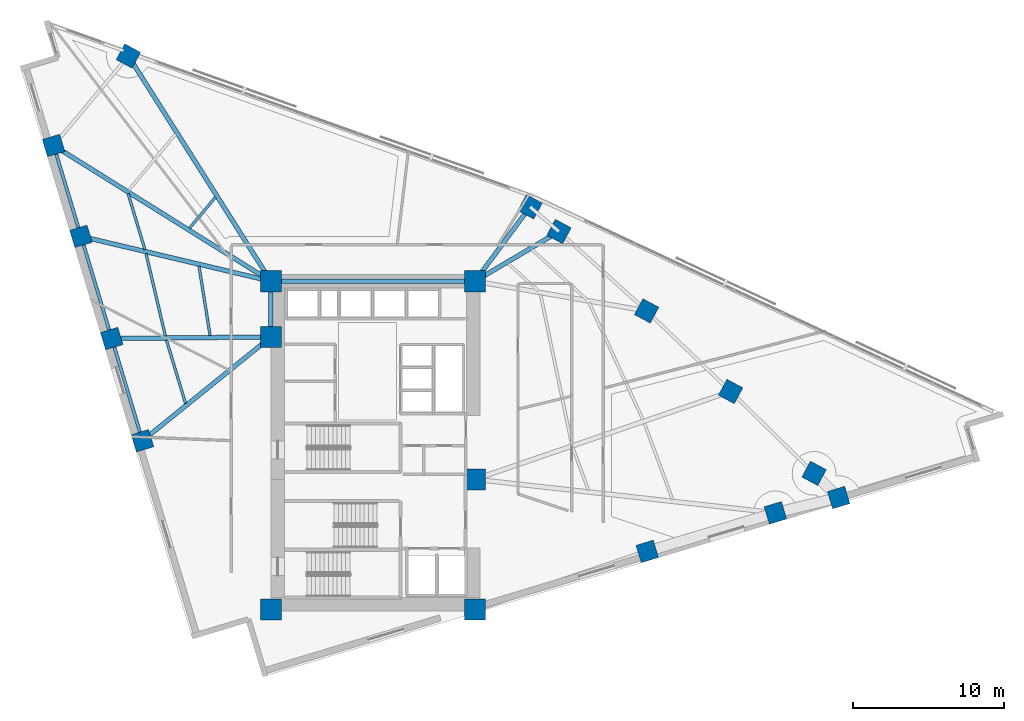
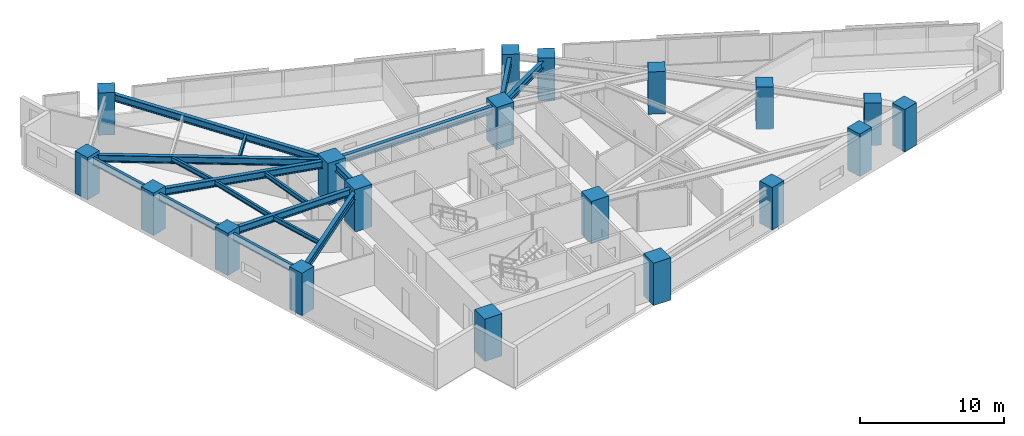
# One storey, part 1 of 16: 19 columns, 17 beams.
"""IFC4 building model written with IfcOpenShell, lengths in metres."""

from ifc_helpers import new_model, si_unit, direction, frame, origin, origin_2d, place, context, subcontext, project, spatial, rectangle, i_section, extrude, material, material_profile, profile_set, type_object, element, save


model = new_model("IFC4")

# Units and contexts
model_context = context("Model", 3, precision=1e-05, world=origin(), true_north=direction((0.0, 1.0)))
body_context = subcontext(model_context, "Body", "Model", "MODEL_VIEW")
ifc_project = project(units=[si_unit("LENGTHUNIT", "METRE"), si_unit("AREAUNIT", "SQUARE_METRE"), si_unit("VOLUMEUNIT", "CUBIC_METRE"), si_unit("PLANEANGLEUNIT", "RADIAN"), si_unit("MASSUNIT", "GRAM", prefix="KILO")], contexts=[model_context])

# Site, building, storey
site_placement = place(None, origin())
site = spatial("IfcSite", under=ifc_project, at=site_placement, CompositionType="ELEMENT")
building_placement = place(site_placement, origin())
building = spatial("IfcBuilding", under=site, at=building_placement, Name="Narakoshi Arena Tower", CompositionType="ELEMENT")
storey_placement = place(building_placement, frame((0.0, 0.0, 150.300048828125)))
storey = spatial("IfcBuildingStorey", under=building, at=storey_placement, Name="L40", CompositionType="ELEMENT", Elevation=150.300048828125)

# Columns
ifc_material_1 = material(Name="Concrete C60/75", Category="concrete")
ifc_material_profile_1 = material_profile(ifc_material_1, rectangle(XDim=1.199951171875, YDim=1.199951171875, at=origin_2d()), Name="RC1200x1200")
ifc_profile_set_1 = profile_set([ifc_material_profile_1], Name="Concrete C60/75")
column_type_1 = type_object("IfcColumnType", Name="COL-RC1200", PredefinedType="COLUMN", material=ifc_profile_set_1)
for number, where, z_axis, x_axis, name in (
    (1, (96.984619140625, 38.565185546875, 0.0), (0.0, 0.0, 1.0), (0.957571360805, 0.288196268134, 0.0), "L40 Tower Perimeter Column TC02"),
    (2, (105.49365234375, 41.126220703125, 0.0), (0.0, 0.0, 1.0), (0.957571360805, 0.288196268134, 0.0), "L40 Tower Perimeter Column TC03"),
    (3, (109.692626953125, 42.13916015625, 0.0), (0.0, 0.0, 1.0), (0.957571360805, 0.288196268134, 0.0), "L40 Tower Perimeter Column TC04"),
    (4, (108.061279296875, 43.74560546875, 0.0), (0.0, 0.0, 1.0), (0.473319667185, 0.880890738205, 0.0), "L40 Tower Perimeter Column TC05"),
    (5, (102.522216796875, 49.17919921875, 0.0), (0.0, 0.0, 1.0), (0.473319667185, 0.880890738205, 0.0), "L40 Tower Perimeter Column TC06"),
    (6, (96.9443359375, 54.528076171875, 0.0), (0.0, 0.0, 1.0), (0.473319667185, 0.880890738205, 0.0), "L40 Tower Perimeter Column TC07"),
    (7, (91.12646484375, 59.798095703125, 0.0), (0.0, 0.0, 1.0), (0.473319667185, 0.880890738205, 0.0), "L40 Tower Perimeter Column TC08"),
    (8, (89.206787109375, 61.437744140625, 0.0), (0.0, 0.0, 1.0), (0.473319667185, 0.880890738205, 0.0), "L40 Tower Perimeter Column TC09"),
    (9, (62.545166015625, 71.4501953125, 0.0), (0.0, 0.0, 1.0), (0.473319667185, 0.880890738205, 0.0), "L40 Tower Perimeter Column TC11"),
    (10, (57.580810546875, 65.51220703125, 0.0), (0.0, 0.0, 1.0), (-0.288196268134, 0.957571360805, 0.0), "L40 Tower Perimeter Column TC13"),
    (11, (59.39599609375, 59.481201171875, 0.0), (0.0, 0.0, 1.0), (-0.288196268134, 0.957571360805, 0.0), "L40 Tower Perimeter Column TC14"),
    (12, (61.43798828125, 52.6962890625, 0.0), (0.0, 0.0, 1.0), (-0.288196268134, 0.957571360805, 0.0), "L40 Tower Perimeter Column TC15"),
    (13, (63.47998046875, 45.91162109375, 0.0), (0.0, 0.0, 1.0), (-0.288196268134, 0.957571360805, 0.0), "L40 Tower Perimeter Column TC16"),
):
    element("IfcColumn", number, at=place(storey_placement, frame(where, z_axis=z_axis, x_axis=x_axis)), inside=storey, type_object=column_type_1, Name=name, PredefinedType="COLUMN", context=body_context, shape_type="SweptSolid", body=[
        extrude(rectangle(XDim=1.199951171875, YDim=1.199951171875, at=origin_2d()), origin(), (0.0, 0.0, 1.0), 3.599853515625),
    ])
ifc_material_profile_2 = material_profile(ifc_material_1, rectangle(XDim=1.39990234375, YDim=1.39990234375, at=origin_2d()), Name="RC1400x1400")
ifc_profile_set_2 = profile_set([ifc_material_profile_2], Name="Concrete C60/75")
column_type_2 = type_object("IfcColumnType", Name="COL-RC1400", PredefinedType="COLUMN", material=ifc_profile_set_2)
for number, where, z_axis, x_axis, name in (
    (14, (72.0, 34.699951171875, 0.0), (0.0, 0.0, 1.0), (1.0, 0.0, 0.0), "L40 Core Structural Column CC1"),
    (15, (85.550048828125, 34.699951171875, 0.0), (0.0, 0.0, 1.0), (1.0, 0.0, 0.0), "L40 Core Structural Column CC2"),
    (16, (85.550048828125, 43.35009765625, 0.0), (0.0, 0.0, 1.0), (1.0, 0.0, 0.0), "L40 Core Structural Column CC3"),
    (17, (72.0, 52.800048828125, 0.0), (0.0, 0.0, 1.0), (1.0, 0.0, 0.0), "L40 Core Structural Column CC4"),
    (18, (72.0, 56.5, 0.0), (0.0, 0.0, 1.0), (1.0, 0.0, 0.0), "L40 Core Structural Column CC5"),
    (19, (85.550048828125, 56.5, 0.0), (0.0, 0.0, 1.0), (1.0, 0.0, 0.0), "L40 Core Structural Column CC6"),
):
    element("IfcColumn", number, at=place(storey_placement, frame(where, z_axis=z_axis, x_axis=x_axis)), inside=storey, type_object=column_type_2, Name=name, PredefinedType="COLUMN", context=body_context, shape_type="SweptSolid", body=[
        extrude(rectangle(XDim=1.39990234375, YDim=1.39990234375, at=origin_2d()), origin(), (0.0, 0.0, 1.0), 3.599853515625),
    ])

# Beams
ifc_material_2 = material(Name="Structural steel S355J2", Category="steel")
ifc_material_profile_3 = material_profile(ifc_material_2, i_section(OverallWidth=0.219970703125, OverallDepth=0.60009765625, WebThickness=0.011962890625, FlangeThickness=0.01904296875, FilletRadius=0.02392578125, at=origin_2d()), Name="IPE600")
ifc_profile_set_3 = profile_set([ifc_material_profile_3], Name="Structural steel S355J2")
beam_type_1 = type_object("IfcBeamType", Name="BM-EDGE-600", PredefinedType="BEAM", material=ifc_profile_set_3)
beam_1_placement = place(storey_placement, frame((57.580810546875, 65.51220703125, 3.0400390625), z_axis=(0.288204829742, -0.957568784011, 0.0), x_axis=(0.957568784011, 0.288204829742, 0.0)))
element("IfcBeam", 20, at=beam_1_placement, inside=storey, type_object=beam_type_1, Name="L40 Perimeter Edge Girder 10", PredefinedType="BEAM", context=body_context, shape_type="SweptSolid", body=[
    extrude(i_section(OverallWidth=0.219970703125, OverallDepth=0.60009765625, WebThickness=0.011962890625, FlangeThickness=0.01904296875, FilletRadius=0.02392578125, at=origin_2d()), origin(), (0.0, 0.0, 1.0), 6.29833984375),
])
beam_2_placement = place(storey_placement, frame((59.39599609375, 59.481201171875, 3.0400390625), z_axis=(0.28819179325, -0.957572707581, 0.0), x_axis=(0.957572707581, 0.28819179325, 0.0)))
element("IfcBeam", 21, at=beam_2_placement, inside=storey, type_object=beam_type_1, Name="L40 Perimeter Edge Girder 11", PredefinedType="BEAM", context=body_context, shape_type="SweptSolid", body=[
    extrude(i_section(OverallWidth=0.219970703125, OverallDepth=0.60009765625, WebThickness=0.011962890625, FlangeThickness=0.01904296875, FilletRadius=0.02392578125, at=origin_2d()), origin(), (0.0, 0.0, 1.0), 7.08544921875),
])
beam_3_placement = place(storey_placement, frame((61.43798828125, 52.6962890625, 3.0400390625), z_axis=(0.288201302245, -0.957569845695, 0.0), x_axis=(0.957569845695, 0.288201302245, 0.0)))
element("IfcBeam", 22, at=beam_3_placement, inside=storey, type_object=beam_type_1, Name="L40 Perimeter Edge Girder 12", PredefinedType="BEAM", context=body_context, shape_type="SweptSolid", body=[
    extrude(i_section(OverallWidth=0.219970703125, OverallDepth=0.60009765625, WebThickness=0.011962890625, FlangeThickness=0.01904296875, FilletRadius=0.02392578125, at=origin_2d()), origin(), (0.0, 0.0, 1.0), 7.085205078125),
])
ifc_material_profile_4 = material_profile(ifc_material_2, i_section(OverallWidth=0.300048828125, OverallDepth=0.60009765625, WebThickness=0.015380859375, FlangeThickness=0.030029296875, FilletRadius=0.027099609375, at=origin_2d()), Name="HE600B")
ifc_profile_set_4 = profile_set([ifc_material_profile_4], Name="Structural steel S355J2")
beam_type_2 = type_object("IfcBeamType", Name="BM-PRI-600", PredefinedType="BEAM", material=ifc_profile_set_4)
beam_4_placement = place(storey_placement, frame((85.550048828125, 56.5, 3.0400390625), z_axis=(0.860727657757, 0.509065712037, 0.0), x_axis=(-0.509065712037, 0.860727657757, 0.0)))
element("IfcBeam", 23, at=beam_4_placement, inside=storey, type_object=beam_type_2, Name="L40 Radial Primary Floor Girder 07", PredefinedType="BEAM", context=body_context, shape_type="SweptSolid", body=[
    extrude(i_section(OverallWidth=0.300048828125, OverallDepth=0.60009765625, WebThickness=0.015380859375, FlangeThickness=0.030029296875, FilletRadius=0.027099609375, at=origin_2d()), origin(), (0.0, 0.0, 1.0), 6.478759765625),
])
beam_5_placement = place(storey_placement, frame((85.550048828125, 56.5, 3.0400390625), z_axis=(0.595138224279, 0.803623353321, 0.0), x_axis=(-0.803623353321, 0.595138224279, 0.0)))
element("IfcBeam", 24, at=beam_5_placement, inside=storey, type_object=beam_type_2, Name="L40 Radial Primary Floor Girder 08", PredefinedType="BEAM", context=body_context, shape_type="SweptSolid", body=[
    extrude(i_section(OverallWidth=0.300048828125, OverallDepth=0.60009765625, WebThickness=0.015380859375, FlangeThickness=0.030029296875, FilletRadius=0.027099609375, at=origin_2d()), origin(), (0.0, 0.0, 1.0), 6.144287109375),
])
beam_6_placement = place(storey_placement, frame((72.0, 56.5, 3.0400390625), z_axis=(-0.534502303868, 0.845167017317, 0.0), x_axis=(-0.845167017317, -0.534502303868, 0.0)))
element("IfcBeam", 25, at=beam_6_placement, inside=storey, type_object=beam_type_2, Name="L40 Radial Primary Floor Girder 09", PredefinedType="BEAM", context=body_context, shape_type="SweptSolid", body=[
    extrude(i_section(OverallWidth=0.300048828125, OverallDepth=0.60009765625, WebThickness=0.015380859375, FlangeThickness=0.030029296875, FilletRadius=0.027099609375, at=origin_2d()), origin(), (0.0, 0.0, 1.0), 17.68896484375),
])
beam_7_placement = place(storey_placement, frame((72.0, 56.5, 3.0400390625), z_axis=(-0.847992657587, 0.530007974165, 0.0), x_axis=(-0.530007974165, -0.847992657587, 0.0)))
element("IfcBeam", 26, at=beam_7_placement, inside=storey, type_object=beam_type_2, Name="L40 Radial Primary Floor Girder 10", PredefinedType="BEAM", context=body_context, shape_type="SweptSolid", body=[
    extrude(i_section(OverallWidth=0.300048828125, OverallDepth=0.60009765625, WebThickness=0.015380859375, FlangeThickness=0.030029296875, FilletRadius=0.027099609375, at=origin_2d()), origin(), (0.0, 0.0, 1.0), 17.00390625),
])
beam_8_placement = place(storey_placement, frame((72.0, 56.5, 3.0400390625), z_axis=(-0.973148771856, 0.230177035857, 0.0), x_axis=(-0.230177035857, -0.973148771856, 0.0)))
element("IfcBeam", 27, at=beam_8_placement, inside=storey, type_object=beam_type_2, Name="L40 Radial Primary Floor Girder 11", PredefinedType="BEAM", context=body_context, shape_type="SweptSolid", body=[
    extrude(i_section(OverallWidth=0.300048828125, OverallDepth=0.60009765625, WebThickness=0.015380859375, FlangeThickness=0.030029296875, FilletRadius=0.027099609375, at=origin_2d()), origin(), (0.0, 0.0, 1.0), 12.95166015625),
])
beam_9_placement = place(storey_placement, frame((72.0, 52.800048828125, 3.0400390625), z_axis=(-0.999951749341, -0.009823389891, 0.0), x_axis=(0.009823389891, -0.999951749341, 0.0)))
element("IfcBeam", 28, at=beam_9_placement, inside=storey, type_object=beam_type_2, Name="L40 Radial Primary Floor Girder 12", PredefinedType="BEAM", context=body_context, shape_type="SweptSolid", body=[
    extrude(i_section(OverallWidth=0.300048828125, OverallDepth=0.60009765625, WebThickness=0.015380859375, FlangeThickness=0.030029296875, FilletRadius=0.027099609375, at=origin_2d()), origin(), (0.0, 0.0, 1.0), 10.5625),
])
beam_10_placement = place(storey_placement, frame((72.0, 52.800048828125, 3.0400390625), z_axis=(-0.777634431076, -0.628716702184, 0.0), x_axis=(0.628716702184, -0.777634431076, 0.0)))
element("IfcBeam", 29, at=beam_10_placement, inside=storey, type_object=beam_type_2, Name="L40 Radial Primary Floor Girder 13", PredefinedType="BEAM", context=body_context, shape_type="SweptSolid", body=[
    extrude(i_section(OverallWidth=0.300048828125, OverallDepth=0.60009765625, WebThickness=0.015380859375, FlangeThickness=0.030029296875, FilletRadius=0.027099609375, at=origin_2d()), origin(), (0.0, 0.0, 1.0), 10.956298828125),
])
beam_11_placement = place(storey_placement, frame((72.0, 52.800048828125, 3.0400390625), z_axis=(0.0, 1.0, 0.0), x_axis=(-1.0, 0.0, 0.0)))
element("IfcBeam", 30, at=beam_11_placement, inside=storey, type_object=beam_type_2, Name="L40 Core Perimeter Frame Beam CC4-CC5", PredefinedType="BEAM", context=body_context, shape_type="SweptSolid", body=[
    extrude(i_section(OverallWidth=0.300048828125, OverallDepth=0.60009765625, WebThickness=0.015380859375, FlangeThickness=0.030029296875, FilletRadius=0.027099609375, at=origin_2d()), origin(), (0.0, 0.0, 1.0), 3.699951171875),
])
beam_12_placement = place(storey_placement, frame((72.0, 56.5, 3.0400390625), z_axis=(1.0, 0.0, 0.0), x_axis=(0.0, 1.0, 0.0)))
element("IfcBeam", 31, at=beam_12_placement, inside=storey, type_object=beam_type_2, Name="L40 Core Perimeter Frame Beam CC5-CC6", PredefinedType="BEAM", context=body_context, shape_type="SweptSolid", body=[
    extrude(i_section(OverallWidth=0.300048828125, OverallDepth=0.60009765625, WebThickness=0.015380859375, FlangeThickness=0.030029296875, FilletRadius=0.027099609375, at=origin_2d()), origin(), (0.0, 0.0, 1.0), 13.550048828125),
])
ifc_material_profile_5 = material_profile(ifc_material_2, i_section(OverallWidth=0.179931640625, OverallDepth=0.39990234375, WebThickness=0.008544921875, FlangeThickness=0.013427734375, FilletRadius=0.02099609375, at=origin_2d()), Name="IPE400")
ifc_profile_set_5 = profile_set([ifc_material_profile_5], Name="Structural steel S355J2")
beam_type_3 = type_object("IfcBeamType", Name="BM-SEC-400", PredefinedType="JOIST", material=ifc_profile_set_5)
beam_13_placement = place(storey_placement, frame((68.320556640625, 62.077392578125, 3.139892578125), z_axis=(-0.64141534739, -0.767193816537, 0.0), x_axis=(0.767193816537, -0.64141534739, 0.0)))
element("IfcBeam", 32, at=beam_13_placement, inside=storey, type_object=beam_type_3, Name="L40 Composite Secondary Floor Joist 07", PredefinedType="JOIST", context=body_context, shape_type="SweptSolid", body=[
    extrude(i_section(OverallWidth=0.179931640625, OverallDepth=0.39990234375, WebThickness=0.008544921875, FlangeThickness=0.013427734375, FilletRadius=0.02099609375, at=origin_2d()), origin(), (0.0, 0.0, 1.0), 2.6708984375),
])
beam_14_placement = place(storey_placement, frame((62.522216796875, 62.318603515625, 3.139892578125), z_axis=(0.288258285881, -0.957552693391, 0.0), x_axis=(0.957552693391, 0.288258285881, 0.0)))
element("IfcBeam", 33, at=beam_14_placement, inside=storey, type_object=beam_type_3, Name="L40 Composite Secondary Floor Joist 09", PredefinedType="JOIST", context=body_context, shape_type="SweptSolid", body=[
    extrude(i_section(OverallWidth=0.179931640625, OverallDepth=0.39990234375, WebThickness=0.008544921875, FlangeThickness=0.013427734375, FilletRadius=0.02099609375, at=origin_2d()), origin(), (0.0, 0.0, 1.0), 3.88671875),
])
beam_15_placement = place(storey_placement, frame((67.231689453125, 57.49951171875, 3.139892578125), z_axis=(0.157263582495, -0.987556664511, 0.0), x_axis=(0.987556664511, 0.157263582495, 0.0)))
element("IfcBeam", 34, at=beam_15_placement, inside=storey, type_object=beam_type_3, Name="L40 Composite Secondary Floor Joist 10", PredefinedType="JOIST", context=body_context, shape_type="SweptSolid", body=[
    extrude(i_section(OverallWidth=0.179931640625, OverallDepth=0.39990234375, WebThickness=0.008544921875, FlangeThickness=0.013427734375, FilletRadius=0.02099609375, at=origin_2d()), origin(), (0.0, 0.0, 1.0), 4.66357421875),
])
beam_16_placement = place(storey_placement, frame((63.712158203125, 58.336181640625, 3.139892578125), z_axis=(0.228758561982, -0.973483189542, 0.0), x_axis=(0.973483189542, 0.228758561982, 0.0)))
element("IfcBeam", 35, at=beam_16_placement, inside=storey, type_object=beam_type_3, Name="L40 Composite Secondary Floor Joist 11", PredefinedType="JOIST", context=body_context, shape_type="SweptSolid", body=[
    extrude(i_section(OverallWidth=0.179931640625, OverallDepth=0.39990234375, WebThickness=0.008544921875, FlangeThickness=0.013427734375, FilletRadius=0.02099609375, at=origin_2d()), origin(), (0.0, 0.0, 1.0), 5.622314453125),
])
beam_17_placement = place(storey_placement, frame((65.068115234375, 52.602294921875, 3.139892578125), z_axis=(0.288166161621, -0.957580421321, 0.0), x_axis=(0.957580421321, 0.288166161621, 0.0)))
element("IfcBeam", 36, at=beam_17_placement, inside=storey, type_object=beam_type_3, Name="L40 Composite Secondary Floor Joist 12", PredefinedType="JOIST", context=body_context, shape_type="SweptSolid", body=[
    extrude(i_section(OverallWidth=0.179931640625, OverallDepth=0.39990234375, WebThickness=0.008544921875, FlangeThickness=0.013427734375, FilletRadius=0.02099609375, at=origin_2d()), origin(), (0.0, 0.0, 1.0), 4.406494140625),
])

save(model, "model.ifc")
